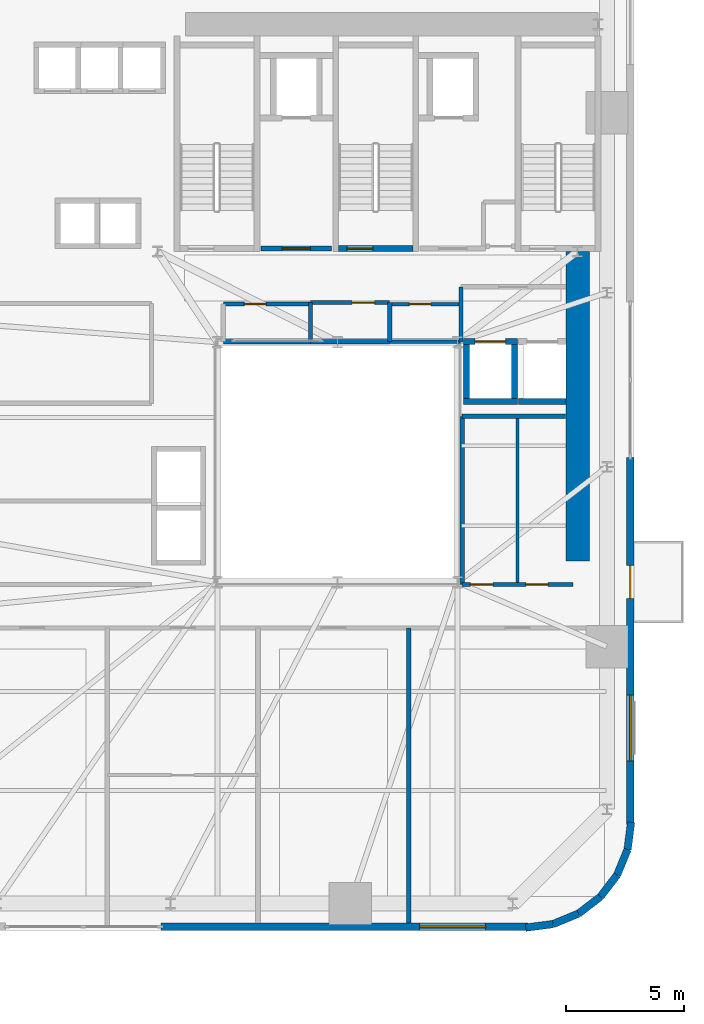
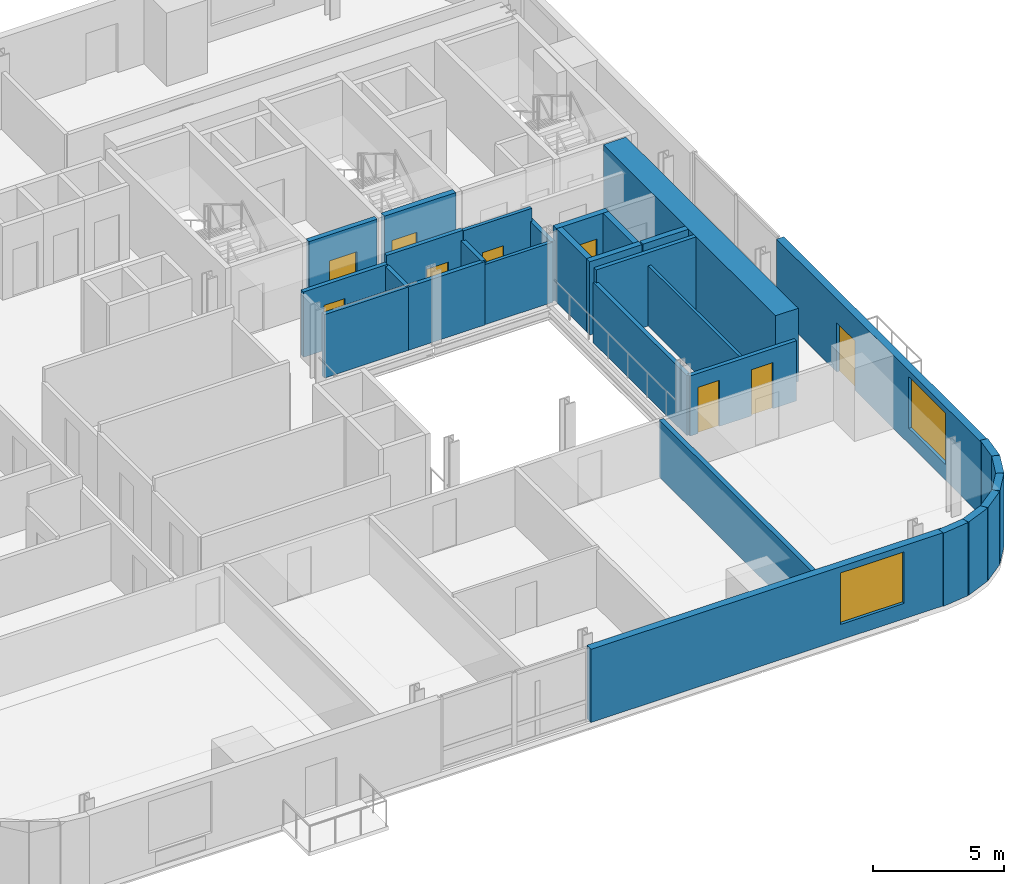
# One storey, part 7 of 13: 30 walls, 9 doors, 2 windows, 11 openings.
"""IFC4 building model written with IfcOpenShell, lengths in metres."""

from ifc_helpers import new_model, si_unit, direction, frame, frame_2d, origin, place, context, subcontext, project, spatial, rectangle, extrude, source, transform, mapped, material, layer, layer_set, type_object, element, fill, save


model = new_model("IFC4")

# Units and contexts
model_context = context("Model", 3, precision=1e-05, world=origin(), true_north=direction((0.0, 1.0)))
body_context = subcontext(model_context, "Body", "Model", "MODEL_VIEW")
ifc_project = project(units=[si_unit("LENGTHUNIT", "METRE"), si_unit("AREAUNIT", "SQUARE_METRE"), si_unit("VOLUMEUNIT", "CUBIC_METRE"), si_unit("PLANEANGLEUNIT", "RADIAN"), si_unit("MASSUNIT", "GRAM", prefix="KILO")], contexts=[model_context])

# Site, building, storey
site_placement = place(None, origin())
site = spatial("IfcSite", under=ifc_project, at=site_placement, CompositionType="ELEMENT")
building_placement = place(site_placement, origin())
building = spatial("IfcBuilding", under=site, at=building_placement, Name="Vardaveli Station Tower", CompositionType="ELEMENT")
storey_placement = place(building_placement, frame((0.0, 0.0, 34.89990234375)))
storey = spatial("IfcBuildingStorey", under=building, at=storey_placement, Name="L08", CompositionType="ELEMENT", Elevation=34.89990234375)

# Wall
ifc_material_1 = material(Name="Concrete C60/75", Category="concrete")
ifc_layer_1 = layer(ifc_material_1, 1.0, Name="Concrete C60/75")
ifc_layer_set_1 = layer_set([ifc_layer_1], Name="Concrete C60/75")
wall_type_1 = type_object("IfcWallType", Name="WAL-CORE-1000", PredefinedType="SHEAR", material=ifc_layer_set_1)
shared_shape_1 = source(origin(), body_context, "Body", "SweptSolid", [
    extrude(rectangle(XDim=13.14990234375, YDim=1.0, at=frame_2d((6.574951171875, 0.0))), origin(), (0.0, 0.0, 1.0), 3.41015625),
])
wall_1_placement = place(storey_placement, frame((46.5, 17.5, 0.0), z_axis=(0.0, 0.0, 1.0), x_axis=(0.0, 1.0, 0.0)))
element("IfcWall", 1, at=wall_1_placement, inside=storey, type_object=wall_type_1, Name="SW-L08-EAST2", PredefinedType="SHEAR", context=body_context, shape_type="MappedRepresentation", body=[
    mapped(shared_shape_1, transform((0.0, 0.0, 0.0), scale=1.0)),
])

# Wall, opening, window
ifc_material_2 = material(Name="Precast concrete C45/55", Category="concrete")
ifc_layer_2 = layer(ifc_material_2, 0.320068359375, Name="Precast concrete C45/55")
ifc_layer_set_2 = layer_set([ifc_layer_2], Name="Precast concrete C45/55")
wall_type_2 = type_object("IfcWallType", Name="WAL-EXT-STONE-320", PredefinedType="SOLIDWALL", material=ifc_layer_set_2)
shared_shape_2 = source(origin(), body_context, "Body", "SweptSolid", [
    extrude(rectangle(XDim=15.599853515625, YDim=0.320068359375, at=frame_2d((7.7998046875, 0.0))), origin(), (0.0, 0.0, 1.0), 3.41015625),
])
wall_2_placement = place(storey_placement, frame((28.800048828125, 1.9599609375, 0.0), z_axis=(0.0, 0.0, 1.0), x_axis=(1.0, 0.0, 0.0)))
wall_2 = element("IfcWall", 2, at=wall_2_placement, inside=storey, type_object=wall_type_2, Name="EW-L08-S2", PredefinedType="SOLIDWALL", context=body_context, shape_type="MappedRepresentation", body=[
    mapped(shared_shape_2, transform((0.0, 0.0, 0.0), scale=1.0)),
])
shared_shape_3 = source(origin(), body_context, "Body", "SweptSolid", [
    extrude(rectangle(XDim=2.800048828125, YDim=2.39990234375, at=frame_2d((1.39990234375, 1.199951171875))), frame((0.0, 0.169921875, 0.0), z_axis=(0.0, -1.0, 0.0), x_axis=(1.0, 0.0, 0.0)), (0.0, 0.0, 1.0), 0.340087890625),
])
opening_1_placement = place(wall_2_placement, frame((10.9951171875, 0.0, 0.719970703125)))
opening_1 = element("IfcOpeningElement", 3, at=opening_1_placement, cuts=wall_2, Name="Opening W-04", PredefinedType="OPENING", context=body_context, shape_type="MappedRepresentation", body=[
    mapped(shared_shape_3, transform((0.0, 0.0, 0.0), scale=1.0)),
])
ifc_material_3 = material(Name="Low-E solar-control glass", Category="glass")
window_type = type_object("IfcWindowType", Name="WIN-SUITE-2800x2400", PartitioningType="SINGLE_PANEL", PredefinedType="WINDOW", material=ifc_material_3)
shared_shape_4 = source(origin(), body_context, "Body", "SweptSolid", [
    extrude(rectangle(XDim=2.800048828125, YDim=2.39990234375, at=frame_2d((1.39990234375, 1.199951171875))), frame((0.0, 0.030029296875, 0.0), z_axis=(0.0, -1.0, 0.0), x_axis=(1.0, 0.0, 0.0)), (0.0, 0.0, 1.0), 0.06005859375),
])
window_1_placement = place(opening_1_placement, origin())
window_1 = element("IfcWindow", 4, at=window_1_placement, inside=storey, type_object=window_type, Name="WN-L08-S2", OverallHeight=2.39990234375, OverallWidth=2.800048828125, PartitioningType="SINGLE_PANEL", PredefinedType="WINDOW", context=body_context, shape_type="MappedRepresentation", body=[
    mapped(shared_shape_4, transform((0.0, 0.0, 0.0), scale=1.0)),
])
fill(opening_1, window_1)

# Wall, openings, door, window
wall_3_placement = place(storey_placement, frame((48.739990234375, 6.300048828125, 0.0), z_axis=(0.0, 0.0, 1.0), x_axis=(0.0, 1.0, 0.0)))
wall_3 = element("IfcWall", 5, at=wall_3_placement, inside=storey, type_object=wall_type_2, Name="EW-L08-E1", PredefinedType="SOLIDWALL", context=body_context, shape_type="MappedRepresentation", body=[
    mapped(shared_shape_2, transform((0.0, 0.0, 0.0), scale=1.0)),
])
shared_shape_5 = source(origin(), body_context, "Body", "SweptSolid", [
    extrude(rectangle(XDim=1.39990234375, YDim=2.300048828125, at=frame_2d((0.699951171875, 1.14990234375))), frame((0.0, 0.169921875, 0.0), z_axis=(0.0, -1.0, 0.0), x_axis=(1.0, 0.0, 0.0)), (0.0, 0.0, 1.0), 0.340087890625),
])
opening_2_placement = place(wall_3_placement, frame((9.6103515625, 0.0, 0.0)))
opening_2 = element("IfcOpeningElement", 6, at=opening_2_placement, cuts=wall_3, Name="Opening D-09", PredefinedType="OPENING", context=body_context, shape_type="MappedRepresentation", body=[
    mapped(shared_shape_5, transform((0.0, 0.0, 0.0), scale=1.0)),
])
opening_3_placement = place(wall_3_placement, frame((2.705078125, 0.0, 0.719970703125)))
opening_3 = element("IfcOpeningElement", 7, at=opening_3_placement, cuts=wall_3, Name="Opening W-04", PredefinedType="OPENING", context=body_context, shape_type="MappedRepresentation", body=[
    mapped(shared_shape_3, transform((0.0, 0.0, 0.0), scale=1.0)),
])
ifc_material_4 = material(Name="Thermally broken aluminium glass", Category="aluminium")
door_type_1 = type_object("IfcDoorType", Name="DR-LOG-1400x2300", OperationType="DOUBLE_DOOR_SLIDING", PredefinedType="DOOR", material=ifc_material_4)
shared_shape_6 = source(origin(), body_context, "Body", "SweptSolid", [
    extrude(rectangle(XDim=1.39990234375, YDim=2.300048828125, at=frame_2d((0.699951171875, 1.14990234375))), frame((0.0, 0.02490234375, 0.0), z_axis=(0.0, -1.0, 0.0), x_axis=(1.0, 0.0, 0.0)), (0.0, 0.0, 1.0), 0.050048828125),
])
door_1_placement = place(opening_2_placement, frame((1.39990234375, 0.0, 0.0), z_axis=(0.0, 0.0, 1.0), x_axis=(-1.0, 0.0, 0.0)))
door_1 = element("IfcDoor", 8, at=door_1_placement, inside=storey, type_object=door_type_1, Name="DLG-L08-E", OperationType="DOUBLE_DOOR_SLIDING", OverallHeight=2.300048828125, OverallWidth=1.39990234375, PredefinedType="DOOR", context=body_context, shape_type="MappedRepresentation", body=[
    mapped(shared_shape_6, transform((0.0, 0.0, 0.0), scale=1.0)),
])
fill(opening_2, door_1)
window_2_placement = place(opening_3_placement, origin())
window_2 = element("IfcWindow", 9, at=window_2_placement, inside=storey, type_object=window_type, Name="WN-L08-E1", OverallHeight=2.39990234375, OverallWidth=2.800048828125, PartitioningType="SINGLE_PANEL", PredefinedType="WINDOW", context=body_context, shape_type="MappedRepresentation", body=[
    mapped(shared_shape_4, transform((0.0, 0.0, 0.0), scale=1.0)),
])
fill(opening_3, window_2)

# Walls
shared_shape_7 = source(origin(), body_context, "Body", "SweptSolid", [
    extrude(rectangle(XDim=1.170654296875, YDim=0.320068359375, at=frame_2d((0.58544921875, 0.0))), origin(), (0.0, 0.0, 1.0), 3.41015625),
])
wall_4_placement = place(storey_placement, frame((48.62548828125, 5.23974609375, 0.0), z_axis=(0.0, 0.0, 1.0), x_axis=(0.128269133229, 0.991739395941, 0.0)))
element("IfcWall", 10, at=wall_4_placement, inside=storey, type_object=wall_type_2, Name="EW-L08-CR2-6", PredefinedType="SOLIDWALL", context=body_context, shape_type="MappedRepresentation", body=[
    mapped(shared_shape_7, transform((0.0, 0.0, 0.0), scale=1.0)),
])
shared_shape_8 = source(origin(), body_context, "Body", "SweptSolid", [
    extrude(rectangle(XDim=1.1689453125, YDim=0.320068359375, at=frame_2d((0.58447265625, 0.0))), origin(), (0.0, 0.0, 1.0), 3.41015625),
])
for number, where, z_axis, x_axis, name in (
    (11, (47.46875, 3.231201171875, 0.0), (0.0, 0.0, 1.0), (0.608387696831, 0.793639975269, 0.0), "EW-L08-CR2-4"),
    (12, (48.179931640625, 4.158935546875, 0.0), (0.0, 0.0, 1.0), (0.381127904695, 0.924522320046, 0.0), "EW-L08-CR2-5"),
):
    element("IfcWall", number, at=place(storey_placement, frame(where, z_axis=z_axis, x_axis=x_axis)), inside=storey, type_object=wall_type_2, Name=name, PredefinedType="SOLIDWALL", context=body_context, shape_type="MappedRepresentation", body=[
        mapped(shared_shape_8, transform((0.0, 0.0, 0.0), scale=1.0)),
    ])
shared_shape_9 = source(origin(), body_context, "Body", "SweptSolid", [
    extrude(rectangle(XDim=1.168701171875, YDim=0.320068359375, at=frame_2d((0.58447265625, 0.0))), origin(), (0.0, 0.0, 1.0), 3.41015625),
])
wall_5_placement = place(storey_placement, frame((46.541259765625, 2.520263671875, 0.0), z_axis=(0.0, 0.0, 1.0), x_axis=(0.793663520347, 0.608356981114, 0.0)))
element("IfcWall", 13, at=wall_5_placement, inside=storey, type_object=wall_type_2, Name="EW-L08-CR2-3", PredefinedType="SOLIDWALL", context=body_context, shape_type="MappedRepresentation", body=[
    mapped(shared_shape_9, transform((0.0, 0.0, 0.0), scale=1.0)),
])
shared_shape_10 = source(origin(), body_context, "Body", "SweptSolid", [
    extrude(rectangle(XDim=1.16943359375, YDim=0.320068359375, at=frame_2d((0.584716796875, 0.0))), origin(), (0.0, 0.0, 1.0), 3.41015625),
])
wall_6_placement = place(storey_placement, frame((45.460205078125, 2.074462890625, 0.0), z_axis=(0.0, 0.0, 1.0), x_axis=(0.924479075121, 0.381232789334, 0.0)))
element("IfcWall", 14, at=wall_6_placement, inside=storey, type_object=wall_type_2, Name="EW-L08-CR2-2", PredefinedType="SOLIDWALL", context=body_context, shape_type="MappedRepresentation", body=[
    mapped(shared_shape_10, transform((0.0, 0.0, 0.0), scale=1.0)),
])
shared_shape_11 = source(origin(), body_context, "Body", "SweptSolid", [
    extrude(rectangle(XDim=1.170166015625, YDim=0.320068359375, at=frame_2d((0.5849609375, 0.0))), origin(), (0.0, 0.0, 1.0), 3.41015625),
])
wall_7_placement = place(storey_placement, frame((44.299560546875, 1.924560546875, 0.0), z_axis=(0.0, 0.0, 1.0), x_axis=(0.991762485493, 0.128090485085, 0.0)))
element("IfcWall", 15, at=wall_7_placement, inside=storey, type_object=wall_type_2, Name="EW-L08-CR2-1", PredefinedType="SOLIDWALL", context=body_context, shape_type="MappedRepresentation", body=[
    mapped(shared_shape_11, transform((0.0, 0.0, 0.0), scale=1.0)),
])

# Wall, opening, door
ifc_material_5 = material(Name="Concrete C40/50", Category="concrete")
ifc_layer_3 = layer(ifc_material_5, 0.25, Name="Concrete C40/50")
ifc_layer_set_3 = layer_set([ifc_layer_3], Name="Concrete C40/50")
wall_type_3 = type_object("IfcWallType", Name="WAL-SHAFT-250", PredefinedType="SOLIDWALL", material=ifc_layer_set_3)
shared_shape_12 = source(origin(), body_context, "Body", "SweptSolid", [
    extrude(rectangle(XDim=3.14990234375, YDim=0.25, at=frame_2d((1.574951171875, 0.0))), origin(), (0.0, 0.0, 1.0), 3.4501953125),
])
wall_8_placement = place(storey_placement, frame((36.35009765625, 30.77490234375, 0.0), z_axis=(0.0, 0.0, 1.0), x_axis=(1.0, 0.0, 0.0)))
wall_8 = element("IfcWall", 16, at=wall_8_placement, inside=storey, type_object=wall_type_3, Name="W-L08-ST-2S", PredefinedType="SOLIDWALL", context=body_context, shape_type="MappedRepresentation", body=[
    mapped(shared_shape_12, transform((0.0, 0.0, 0.0), scale=1.0)),
])
shared_shape_13 = source(origin(), body_context, "Body", "SweptSolid", [
    extrude(rectangle(XDim=1.10009765625, YDim=2.199951171875, at=frame_2d((0.550048828125, 1.10009765625))), frame((0.0, 0.135009765625, 0.0), z_axis=(0.0, -1.0, 0.0), x_axis=(1.0, 0.0, 0.0)), (0.0, 0.0, 1.0), 0.27001953125),
])
opening_4_placement = place(wall_8_placement, frame((0.35009765625, 0.0, 0.0)))
opening_4 = element("IfcOpeningElement", 17, at=opening_4_placement, cuts=wall_8, Name="Opening D-04", PredefinedType="OPENING", context=body_context, shape_type="MappedRepresentation", body=[
    mapped(shared_shape_13, transform((0.0, 0.0, 0.0), scale=1.0)),
])
ifc_material_6 = material(Name="Steel smokeproof fire doorset", Category="steel")
door_type_2 = type_object("IfcDoorType", Name="DR-ST-1100x2200", OperationType="NOTDEFINED", PredefinedType="DOOR", material=ifc_material_6)
shared_shape_14 = source(origin(), body_context, "Body", "SweptSolid", [
    extrude(rectangle(XDim=1.10009765625, YDim=2.199951171875, at=frame_2d((0.550048828125, 1.10009765625))), frame((0.0, 0.02490234375, 0.0), z_axis=(0.0, -1.0, 0.0), x_axis=(1.0, 0.0, 0.0)), (0.0, 0.0, 1.0), 0.050048828125),
])
door_2_placement = place(opening_4_placement, origin())
door_2 = element("IfcDoor", 18, at=door_2_placement, inside=storey, type_object=door_type_2, Name="DST-2-L08", OperationType="SINGLE_SWING_LEFT", OverallHeight=2.199951171875, OverallWidth=1.10009765625, PredefinedType="DOOR", context=body_context, shape_type="MappedRepresentation", body=[
    mapped(shared_shape_14, transform((0.0, 0.0, 0.0), scale=1.0)),
])
fill(opening_4, door_2)

ifc_layer_4 = layer(ifc_material_5, 0.219970703125, Name="Concrete C40/50")
ifc_layer_set_4 = layer_set([ifc_layer_4], Name="Concrete C40/50")
wall_type_4 = type_object("IfcWallType", Name="WAL-FFLOBBY-220", PredefinedType="SOLIDWALL", material=ifc_layer_set_4)
shared_shape_15 = source(origin(), body_context, "Body", "SweptSolid", [
    extrude(rectangle(XDim=3.0, YDim=0.219970703125, at=frame_2d((1.5, 0.0))), origin(), (0.0, 0.0, 1.0), 3.41015625),
])
wall_9_placement = place(storey_placement, frame((33.050048828125, 30.780029296875, 0.0), z_axis=(0.0, 0.0, 1.0), x_axis=(1.0, 0.0, 0.0)))
wall_9 = element("IfcWall", 19, at=wall_9_placement, inside=storey, type_object=wall_type_4, Name="W-L08-FFL1S", PredefinedType="SOLIDWALL", context=body_context, shape_type="MappedRepresentation", body=[
    mapped(shared_shape_15, transform((0.0, 0.0, 0.0), scale=1.0)),
])
shared_shape_16 = source(origin(), body_context, "Body", "SweptSolid", [
    extrude(rectangle(XDim=1.199951171875, YDim=2.199951171875, at=frame_2d((0.60009765625, 1.10009765625))), frame((0.0, 0.1201171875, 0.0), z_axis=(0.0, -1.0, 0.0), x_axis=(1.0, 0.0, 0.0)), (0.0, 0.0, 1.0), 0.239990234375),
])
opening_5_placement = place(wall_9_placement, frame((0.89990234375, 0.0, 0.0)))
opening_5 = element("IfcOpeningElement", 20, at=opening_5_placement, cuts=wall_9, Name="Opening D-03", PredefinedType="OPENING", context=body_context, shape_type="MappedRepresentation", body=[
    mapped(shared_shape_16, transform((0.0, 0.0, 0.0), scale=1.0)),
])
door_type_3 = type_object("IfcDoorType", Name="DR-FFL-1200x2200", OperationType="NOTDEFINED", PredefinedType="DOOR", material=ifc_material_6)
shared_shape_17 = source(origin(), body_context, "Body", "SweptSolid", [
    extrude(rectangle(XDim=1.199951171875, YDim=2.199951171875, at=frame_2d((0.60009765625, 1.10009765625))), frame((0.0, 0.02490234375, 0.0), z_axis=(0.0, -1.0, 0.0), x_axis=(1.0, 0.0, 0.0)), (0.0, 0.0, 1.0), 0.050048828125),
])
door_3_placement = place(opening_5_placement, origin())
door_3 = element("IfcDoor", 21, at=door_3_placement, inside=storey, type_object=door_type_3, Name="DFFL1-L08", OperationType="SINGLE_SWING_LEFT", OverallHeight=2.199951171875, OverallWidth=1.199951171875, PredefinedType="DOOR", context=body_context, shape_type="MappedRepresentation", body=[
    mapped(shared_shape_17, transform((0.0, 0.0, 0.0), scale=1.0)),
])
fill(opening_5, door_3)

# Wall
shared_shape_18 = source(origin(), body_context, "Body", "SweptSolid", [
    extrude(rectangle(XDim=2.300048828125, YDim=0.25, at=frame_2d((1.14990234375, 0.0))), origin(), (0.0, 0.0, 1.0), 3.41015625),
])
wall_10_placement = place(storey_placement, frame((41.64990234375, 24.27490234375, 0.0), z_axis=(0.0, 0.0, 1.0), x_axis=(1.0, 0.0, 0.0)))
element("IfcWall", 22, at=wall_10_placement, inside=storey, type_object=wall_type_3, Name="SHW-SRV-01-L08-S", PredefinedType="SOLIDWALL", context=body_context, shape_type="MappedRepresentation", body=[
    mapped(shared_shape_18, transform((0.0, 0.0, 0.0), scale=1.0)),
])

# Wall, opening, door
wall_11_placement = place(storey_placement, frame((41.64990234375, 26.824951171875, 0.0), z_axis=(0.0, 0.0, 1.0), x_axis=(1.0, 0.0, 0.0)))
wall_11 = element("IfcWall", 23, at=wall_11_placement, inside=storey, type_object=wall_type_3, Name="SHW-SRV-01-L08-N", PredefinedType="SOLIDWALL", context=body_context, shape_type="MappedRepresentation", body=[
    mapped(shared_shape_18, transform((0.0, 0.0, 0.0), scale=1.0)),
])
shared_shape_19 = source(origin(), body_context, "Body", "SweptSolid", [
    extrude(rectangle(XDim=1.300048828125, YDim=2.300048828125, at=frame_2d((0.64990234375, 1.14990234375))), frame((0.0, 0.135009765625, 0.0), z_axis=(0.0, -1.0, 0.0), x_axis=(1.0, 0.0, 0.0)), (0.0, 0.0, 1.0), 0.27001953125),
])
opening_6_placement = place(wall_11_placement, frame((0.5, 0.0, 0.0)))
opening_6 = element("IfcOpeningElement", 24, at=opening_6_placement, cuts=wall_11, Name="Opening LD-03", PredefinedType="OPENING", context=body_context, shape_type="MappedRepresentation", body=[
    mapped(shared_shape_19, transform((0.0, 0.0, 0.0), scale=1.0)),
])
ifc_material_7 = material(Name="Brushed stainless steel", Category="steel")
door_type_4 = type_object("IfcDoorType", Name="DR-LD-1300x2300", OperationType="DOUBLE_DOOR_SLIDING", PredefinedType="DOOR", material=ifc_material_7)
shared_shape_20 = source(origin(), body_context, "Body", "SweptSolid", [
    extrude(rectangle(XDim=1.300048828125, YDim=2.300048828125, at=frame_2d((0.64990234375, 1.14990234375))), frame((0.0, 0.02490234375, 0.0), z_axis=(0.0, -1.0, 0.0), x_axis=(1.0, 0.0, 0.0)), (0.0, 0.0, 1.0), 0.050048828125),
])
door_4_placement = place(opening_6_placement, origin())
door_4 = element("IfcDoor", 25, at=door_4_placement, inside=storey, type_object=door_type_4, Name="LD-SRV-01-L08", OperationType="DOUBLE_DOOR_SLIDING", OverallHeight=2.300048828125, OverallWidth=1.300048828125, PredefinedType="DOOR", context=body_context, shape_type="MappedRepresentation", body=[
    mapped(shared_shape_20, transform((0.0, 0.0, 0.0), scale=1.0)),
])
fill(opening_6, door_4)

# Walls
for number, where, z_axis, x_axis, name in (
    (26, (41.77490234375, 24.39990234375, 0.0), (0.0, 0.0, 1.0), (0.0, 1.0, 0.0), "SHW-SRV-01-L08-W"),
    (27, (43.824951171875, 24.39990234375, 0.0), (0.0, 0.0, 1.0), (0.0, 1.0, 0.0), "SHW-SRV-01-L08-E"),
):
    element("IfcWall", number, at=place(storey_placement, frame(where, z_axis=z_axis, x_axis=x_axis)), inside=storey, type_object=wall_type_3, Name=name, PredefinedType="SOLIDWALL", context=body_context, shape_type="MappedRepresentation", body=[
        mapped(shared_shape_18, transform((0.0, 0.0, 0.0), scale=1.0)),
    ])
shared_shape_21 = source(origin(), body_context, "Body", "SweptSolid", [
    extrude(rectangle(XDim=2.0, YDim=0.25, at=frame_2d((1.0, 0.0))), origin(), (0.0, 0.0, 1.0), 3.41015625),
])
wall_12_placement = place(storey_placement, frame((44.0, 24.27490234375, 0.0), z_axis=(0.0, 0.0, 1.0), x_axis=(1.0, 0.0, 0.0)))
element("IfcWall", 28, at=wall_12_placement, inside=storey, type_object=wall_type_3, Name="SHW-SRV-02-L08-S", PredefinedType="SOLIDWALL", context=body_context, shape_type="MappedRepresentation", body=[
    mapped(shared_shape_21, transform((0.0, 0.0, 0.0), scale=1.0)),
])

# Wall, openings, doors
ifc_material_8 = material(Name="Fire-rated gypsum stud partition")
ifc_layer_5 = layer(ifc_material_8, 0.179931640625, Name="Fire-rated gypsum stud partition")
ifc_layer_set_5 = layer_set([ifc_layer_5], Name="Fire-rated gypsum stud partition")
wall_type_5 = type_object("IfcWallType", Name="WAL-CORR-180", PredefinedType="PARTITIONING", material=ifc_layer_set_5)
shared_shape_22 = source(origin(), body_context, "Body", "SweptSolid", [
    extrude(rectangle(XDim=4.699951171875, YDim=0.179931640625, at=frame_2d((2.35009765625, 0.0))), origin(), (0.0, 0.0, 1.0), 2.802001953125),
])
wall_13_placement = place(storey_placement, frame((41.60009765625, 16.5, 0.0), z_axis=(0.0, 0.0, 1.0), x_axis=(1.0, 0.0, 0.0)))
wall_13 = element("IfcWall", 29, at=wall_13_placement, inside=storey, type_object=wall_type_5, Name="W-L08-ATE-S", PredefinedType="PARTITIONING", context=body_context, shape_type="MappedRepresentation", body=[
    mapped(shared_shape_22, transform((0.0, 0.0, 0.0), scale=1.0)),
])
shared_shape_23 = source(origin(), body_context, "Body", "SweptSolid", [
    extrude(rectangle(XDim=0.949951171875, YDim=2.14990234375, at=frame_2d((0.47509765625, 1.074951171875))), frame((0.0, 0.10009765625, 0.0), z_axis=(0.0, -1.0, 0.0), x_axis=(1.0, 0.0, 0.0)), (0.0, 0.0, 1.0), 0.199951171875),
])
opening_7_placement = place(wall_13_placement, frame((0.35009765625, 0.0, 0.0)))
opening_7 = element("IfcOpeningElement", 30, at=opening_7_placement, cuts=wall_13, Name="Opening D-11", PredefinedType="OPENING", context=body_context, shape_type="MappedRepresentation", body=[
    mapped(shared_shape_23, transform((0.0, 0.0, 0.0), scale=1.0)),
])
opening_8_placement = place(wall_13_placement, frame((2.699951171875, 0.0, 0.0)))
opening_8 = element("IfcOpeningElement", 31, at=opening_8_placement, cuts=wall_13, Name="Opening D-11", PredefinedType="OPENING", context=body_context, shape_type="MappedRepresentation", body=[
    mapped(shared_shape_23, transform((0.0, 0.0, 0.0), scale=1.0)),
])
ifc_material_9 = material(Name="Oak veneer internal suite door")
door_type_5 = type_object("IfcDoorType", Name="DR-INT-950x2150", OperationType="NOTDEFINED", PredefinedType="DOOR", material=ifc_material_9)
shared_shape_24 = source(origin(), body_context, "Body", "SweptSolid", [
    extrude(rectangle(XDim=0.949951171875, YDim=2.14990234375, at=frame_2d((0.47509765625, 1.074951171875))), frame((0.0, 0.02490234375, 0.0), z_axis=(0.0, -1.0, 0.0), x_axis=(1.0, 0.0, 0.0)), (0.0, 0.0, 1.0), 0.050048828125),
])
door_5_placement = place(opening_7_placement, origin())
door_5 = element("IfcDoor", 32, at=door_5_placement, inside=storey, type_object=door_type_5, Name="D-L08-ATE1", OperationType="SINGLE_SWING_RIGHT", OverallHeight=2.14990234375, OverallWidth=0.949951171875, PredefinedType="DOOR", context=body_context, shape_type="MappedRepresentation", body=[
    mapped(shared_shape_24, transform((0.0, 0.0, 0.0), scale=1.0)),
])
fill(opening_7, door_5)
door_6_placement = place(opening_8_placement, origin())
door_6 = element("IfcDoor", 33, at=door_6_placement, inside=storey, type_object=door_type_5, Name="D-L08-ATE2", OperationType="SINGLE_SWING_RIGHT", OverallHeight=2.14990234375, OverallWidth=0.949951171875, PredefinedType="DOOR", context=body_context, shape_type="MappedRepresentation", body=[
    mapped(shared_shape_24, transform((0.0, 0.0, 0.0), scale=1.0)),
])
fill(opening_8, door_6)

# Walls
shared_shape_25 = source(origin(), body_context, "Body", "SweptSolid", [
    extrude(rectangle(XDim=7.14990234375, YDim=0.179931640625, at=frame_2d((3.574951171875, 0.0))), origin(), (0.0, 0.0, 1.0), 2.802001953125),
])
wall_14_placement = place(storey_placement, frame((41.60009765625, 16.5, 0.0), z_axis=(0.0, 0.0, 1.0), x_axis=(0.0, 1.0, 0.0)))
element("IfcWall", 34, at=wall_14_placement, inside=storey, type_object=wall_type_5, Name="W-L08-ATE-W", PredefinedType="PARTITIONING", context=body_context, shape_type="MappedRepresentation", body=[
    mapped(shared_shape_25, transform((0.0, 0.0, 0.0), scale=1.0)),
])
shared_shape_26 = source(origin(), body_context, "Body", "SweptSolid", [
    extrude(rectangle(XDim=2.349853515625, YDim=0.179931640625, at=frame_2d((1.1748046875, 0.0))), origin(), (0.0, 0.0, 1.0), 2.802001953125),
])
wall_15_placement = place(storey_placement, frame((41.550048828125, 26.800048828125, 0.0), z_axis=(0.0, 0.0, 1.0), x_axis=(0.0, 1.0, 0.0)))
element("IfcWall", 35, at=wall_15_placement, inside=storey, type_object=wall_type_5, Name="W-L08-SVFW", PredefinedType="PARTITIONING", context=body_context, shape_type="MappedRepresentation", body=[
    mapped(shared_shape_26, transform((0.0, 0.0, 0.0), scale=1.0)),
])
ifc_material_10 = material(Name="Acoustic twin-stud gypsum partition")
ifc_layer_6 = layer(ifc_material_10, 0.199951171875, Name="Acoustic twin-stud gypsum partition")
ifc_layer_set_6 = layer_set([ifc_layer_6], Name="Acoustic twin-stud gypsum partition")
wall_type_6 = type_object("IfcWallType", Name="WAL-PARTY-200", PredefinedType="PARTITIONING", material=ifc_layer_set_6)
shared_shape_27 = source(origin(), body_context, "Body", "SweptSolid", [
    extrude(rectangle(XDim=12.537841796875, YDim=0.199951171875, at=frame_2d((6.26904296875, 0.0))), origin(), (0.0, 0.0, 1.0), 2.652099609375),
])
wall_16_placement = place(storey_placement, frame((39.330078125, 2.1220703125, 0.0), z_axis=(0.0, 0.0, 1.0), x_axis=(0.0, 1.0, 0.0)))
element("IfcWall", 36, at=wall_16_placement, inside=storey, type_object=wall_type_6, Name="W-L08-PS4", PredefinedType="PARTITIONING", context=body_context, shape_type="MappedRepresentation", body=[
    mapped(shared_shape_27, transform((0.0, 0.0, 0.0), scale=1.0)),
])
ifc_material_11 = material(Name="Gypsum board stud partition")
ifc_layer_7 = layer(ifc_material_11, 0.125, Name="Gypsum board stud partition")
ifc_layer_set_7 = layer_set([ifc_layer_7], Name="Gypsum board stud partition")
wall_type_7 = type_object("IfcWallType", Name="WAL-INT-125", PredefinedType="PARTITIONING", material=ifc_layer_set_7)
shared_shape_28 = source(origin(), body_context, "Body", "SweptSolid", [
    extrude(rectangle(XDim=7.14990234375, YDim=0.125, at=frame_2d((3.574951171875, 0.0))), origin(), (0.0, 0.0, 1.0), 2.802001953125),
])
wall_17_placement = place(storey_placement, frame((43.949951171875, 16.5, 0.0), z_axis=(0.0, 0.0, 1.0), x_axis=(0.0, 1.0, 0.0)))
element("IfcWall", 37, at=wall_17_placement, inside=storey, type_object=wall_type_7, Name="W-L08-ATEM", PredefinedType="PARTITIONING", context=body_context, shape_type="MappedRepresentation", body=[
    mapped(shared_shape_28, transform((0.0, 0.0, 0.0), scale=1.0)),
])

# Wall, opening, door
shared_shape_29 = source(origin(), body_context, "Body", "SweptSolid", [
    extrude(rectangle(XDim=3.699951171875, YDim=0.179931640625, at=frame_2d((1.85009765625, 0.0))), origin(), (0.0, 0.0, 1.0), 3.0419921875),
])
wall_18_placement = place(storey_placement, frame((31.449951171875, 28.419921875, 0.0), z_axis=(0.0, 0.0, 1.0), x_axis=(1.0, 0.0, 0.0)))
wall_18 = element("IfcWall", 38, at=wall_18_placement, inside=storey, type_object=wall_type_5, Name="W-L08-CS2A-N", PredefinedType="PARTITIONING", context=body_context, shape_type="MappedRepresentation", body=[
    mapped(shared_shape_29, transform((0.0, 0.0, 0.0), scale=1.0)),
])
shared_shape_30 = source(origin(), body_context, "Body", "SweptSolid", [
    extrude(rectangle(XDim=0.919921875, YDim=2.10009765625, at=frame_2d((0.4599609375, 1.050048828125))), frame((0.0, 0.10009765625, 0.0), z_axis=(0.0, -1.0, 0.0), x_axis=(1.0, 0.0, 0.0)), (0.0, 0.0, 1.0), 0.199951171875),
])
opening_9_placement = place(wall_18_placement, frame((0.89990234375, 0.0, 0.0)))
opening_9 = element("IfcOpeningElement", 39, at=opening_9_placement, cuts=wall_18, Name="Opening D-07", PredefinedType="OPENING", context=body_context, shape_type="MappedRepresentation", body=[
    mapped(shared_shape_30, transform((0.0, 0.0, 0.0), scale=1.0)),
])
ifc_material_12 = material(Name="Moisture-resistant hardwood door", Category="wood")
door_type_6 = type_object("IfcDoorType", Name="DR-WC-920x2100", OperationType="NOTDEFINED", PredefinedType="DOOR", material=ifc_material_12)
shared_shape_31 = source(origin(), body_context, "Body", "SweptSolid", [
    extrude(rectangle(XDim=0.919921875, YDim=2.10009765625, at=frame_2d((0.4599609375, 1.050048828125))), frame((0.0, 0.02490234375, 0.0), z_axis=(0.0, -1.0, 0.0), x_axis=(1.0, 0.0, 0.0)), (0.0, 0.0, 1.0), 0.050048828125),
])
door_7_placement = place(opening_9_placement, origin())
door_7 = element("IfcDoor", 40, at=door_7_placement, inside=storey, type_object=door_type_6, Name="D-L08-CS2A", OperationType="SINGLE_SWING_RIGHT", OverallHeight=2.10009765625, OverallWidth=0.919921875, PredefinedType="DOOR", context=body_context, shape_type="MappedRepresentation", body=[
    mapped(shared_shape_31, transform((0.0, 0.0, 0.0), scale=1.0)),
])
fill(opening_9, door_7)

shared_shape_32 = source(origin(), body_context, "Body", "SweptSolid", [
    extrude(rectangle(XDim=3.3701171875, YDim=0.179931640625, at=frame_2d((1.68505859375, 0.0))), origin(), (0.0, 0.0, 1.0), 3.41015625),
])
wall_19_placement = place(storey_placement, frame((35.14990234375, 28.47998046875, 0.0), z_axis=(0.0, 0.0, 1.0), x_axis=(1.0, 0.0, 0.0)))
wall_19 = element("IfcWall", 41, at=wall_19_placement, inside=storey, type_object=wall_type_5, Name="W-L08-HKP2-N", PredefinedType="PARTITIONING", context=body_context, shape_type="MappedRepresentation", body=[
    mapped(shared_shape_32, transform((0.0, 0.0, 0.0), scale=1.0)),
])
opening_10_placement = place(wall_19_placement, frame((1.77490234375, 0.0, 0.0)))
opening_10 = element("IfcOpeningElement", 42, at=opening_10_placement, cuts=wall_19, Name="Opening D-06", PredefinedType="OPENING", context=body_context, shape_type="MappedRepresentation", body=[
    mapped(shared_shape_23, transform((0.0, 0.0, 0.0), scale=1.0)),
])
ifc_material_13 = material(Name="Oak veneer acoustic fire door")
door_type_7 = type_object("IfcDoorType", Name="DR-GUEST-950x2150", OperationType="NOTDEFINED", PredefinedType="DOOR", material=ifc_material_13)
door_8_placement = place(opening_10_placement, origin())
door_8 = element("IfcDoor", 43, at=door_8_placement, inside=storey, type_object=door_type_7, Name="D-L08-HKP", OperationType="SINGLE_SWING_LEFT", OverallHeight=2.14990234375, OverallWidth=0.949951171875, PredefinedType="DOOR", context=body_context, shape_type="MappedRepresentation", body=[
    mapped(shared_shape_24, transform((0.0, 0.0, 0.0), scale=1.0)),
])
fill(opening_10, door_8)

ifc_material_14 = material(Name="Moisture-resistant stud partition")
ifc_layer_8 = layer(ifc_material_14, 0.14990234375, Name="Moisture-resistant stud partition")
ifc_layer_set_8 = layer_set([ifc_layer_8], Name="Moisture-resistant stud partition")
wall_type_8 = type_object("IfcWallType", Name="WAL-WET-150", PredefinedType="PARTITIONING", material=ifc_layer_set_8)
shared_shape_33 = source(origin(), body_context, "Body", "SweptSolid", [
    extrude(rectangle(XDim=3.0, YDim=0.14990234375, at=frame_2d((1.5, 0.0))), origin(), (0.0, 0.0, 1.0), 3.41015625),
])
wall_20_placement = place(storey_placement, frame((38.52001953125, 28.419921875, 0.0), z_axis=(0.0, 0.0, 1.0), x_axis=(1.0, 0.0, 0.0)))
wall_20 = element("IfcWall", 44, at=wall_20_placement, inside=storey, type_object=wall_type_8, Name="W-L08-WCA2-N", PredefinedType="PARTITIONING", context=body_context, shape_type="MappedRepresentation", body=[
    mapped(shared_shape_33, transform((0.0, 0.0, 0.0), scale=1.0)),
])
shared_shape_34 = source(origin(), body_context, "Body", "SweptSolid", [
    extrude(rectangle(XDim=0.919921875, YDim=2.10009765625, at=frame_2d((0.4599609375, 1.050048828125))), frame((0.0, 0.0849609375, 0.0), z_axis=(0.0, -1.0, 0.0), x_axis=(1.0, 0.0, 0.0)), (0.0, 0.0, 1.0), 0.169921875),
])
opening_11_placement = place(wall_20_placement, frame((0.830078125, 0.0, 0.0)))
opening_11 = element("IfcOpeningElement", 45, at=opening_11_placement, cuts=wall_20, Name="Opening D-07", PredefinedType="OPENING", context=body_context, shape_type="MappedRepresentation", body=[
    mapped(shared_shape_34, transform((0.0, 0.0, 0.0), scale=1.0)),
])
door_9_placement = place(opening_11_placement, origin())
door_9 = element("IfcDoor", 46, at=door_9_placement, inside=storey, type_object=door_type_6, Name="D-L08-WCA", OperationType="SINGLE_SWING_RIGHT", OverallHeight=2.10009765625, OverallWidth=0.919921875, PredefinedType="DOOR", context=body_context, shape_type="MappedRepresentation", body=[
    mapped(shared_shape_31, transform((0.0, 0.0, 0.0), scale=1.0)),
])
fill(opening_11, door_9)

# Walls
shared_shape_35 = source(origin(), body_context, "Body", "SweptSolid", [
    extrude(rectangle(XDim=4.39794921875, YDim=0.179931640625, at=frame_2d((2.198974609375, 0.0))), origin(), (0.0, 0.0, 1.0), 3.41015625),
])
wall_21_placement = place(storey_placement, frame((41.60009765625, 23.64990234375, 0.0), z_axis=(0.0, 0.0, 1.0), x_axis=(1.0, 0.0, 0.0)))
element("IfcWall", 47, at=wall_21_placement, inside=storey, type_object=wall_type_5, Name="W-L08-ATE-N", PredefinedType="PARTITIONING", context=body_context, shape_type="MappedRepresentation", body=[
    mapped(shared_shape_35, transform((0.0, 0.0, 0.0), scale=1.0)),
])
shared_shape_36 = source(origin(), body_context, "Body", "SweptSolid", [
    extrude(rectangle(XDim=3.699951171875, YDim=0.179931640625, at=frame_2d((1.85009765625, 0.0))), origin(), (0.0, 0.0, 1.0), 2.9521484375),
])
wall_22_placement = place(storey_placement, frame((31.449951171875, 26.820068359375, 0.0), z_axis=(0.0, 0.0, 1.0), x_axis=(1.0, 0.0, 0.0)))
element("IfcWall", 48, at=wall_22_placement, inside=storey, type_object=wall_type_5, Name="W-L08-CS2A-S", PredefinedType="PARTITIONING", context=body_context, shape_type="MappedRepresentation", body=[
    mapped(shared_shape_36, transform((0.0, 0.0, 0.0), scale=1.0)),
])
shared_shape_37 = source(origin(), body_context, "Body", "SweptSolid", [
    extrude(rectangle(XDim=3.3701171875, YDim=0.179931640625, at=frame_2d((1.68505859375, 0.0))), origin(), (0.0, 0.0, 1.0), 2.9521484375),
])
wall_23_placement = place(storey_placement, frame((35.14990234375, 26.820068359375, 0.0), z_axis=(0.0, 0.0, 1.0), x_axis=(1.0, 0.0, 0.0)))
element("IfcWall", 49, at=wall_23_placement, inside=storey, type_object=wall_type_5, Name="W-L08-HKP2-S", PredefinedType="PARTITIONING", context=body_context, shape_type="MappedRepresentation", body=[
    mapped(shared_shape_37, transform((0.0, 0.0, 0.0), scale=1.0)),
])
shared_shape_38 = source(origin(), body_context, "Body", "SweptSolid", [
    extrude(rectangle(XDim=3.0, YDim=0.14990234375, at=frame_2d((1.5, 0.0))), origin(), (0.0, 0.0, 1.0), 2.802001953125),
])
wall_24_placement = place(storey_placement, frame((38.52001953125, 26.820068359375, 0.0), z_axis=(0.0, 0.0, 1.0), x_axis=(1.0, 0.0, 0.0)))
element("IfcWall", 50, at=wall_24_placement, inside=storey, type_object=wall_type_8, Name="W-L08-WCA2-S", PredefinedType="PARTITIONING", context=body_context, shape_type="MappedRepresentation", body=[
    mapped(shared_shape_38, transform((0.0, 0.0, 0.0), scale=1.0)),
])
shared_shape_39 = source(origin(), body_context, "Body", "SweptSolid", [
    extrude(rectangle(XDim=1.659912109375, YDim=0.179931640625, at=frame_2d((0.830078125, 0.0))), origin(), (0.0, 0.0, 1.0), 2.9521484375),
])
for number, where, z_axis, x_axis, name in (
    (51, (35.14990234375, 26.820068359375, 0.0), (0.0, 0.0, 1.0), (0.0, 1.0, 0.0), "W-L08-HKP2-W"),
    (52, (38.52001953125, 26.820068359375, 0.0), (0.0, 0.0, 1.0), (0.0, 1.0, 0.0), "W-L08-HKP2-E"),
):
    element("IfcWall", number, at=place(storey_placement, frame(where, z_axis=z_axis, x_axis=x_axis)), inside=storey, type_object=wall_type_5, Name=name, PredefinedType="PARTITIONING", context=body_context, shape_type="MappedRepresentation", body=[
        mapped(shared_shape_39, transform((0.0, 0.0, 0.0), scale=1.0)),
    ])

save(model, "model.ifc")
